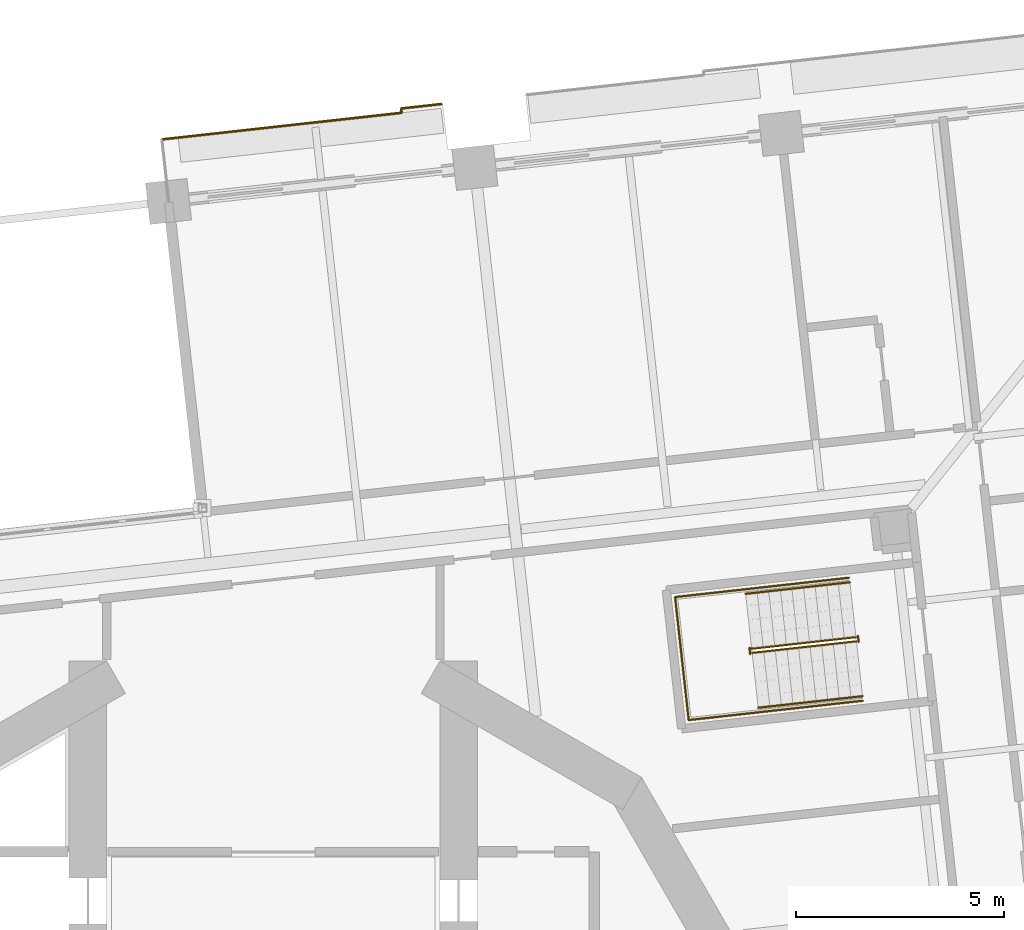
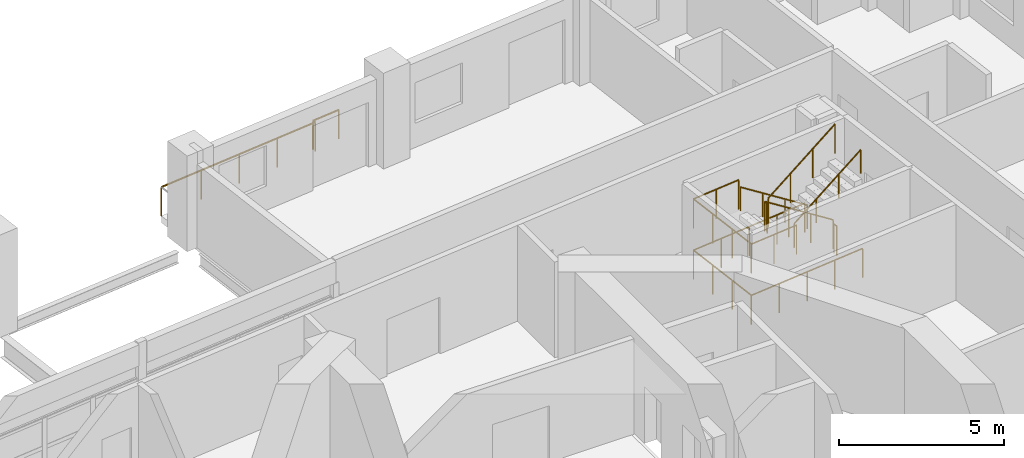
# One storey, part 19 of 21: 8 railings.
"""IFC4 building model written with IfcOpenShell, lengths in metres."""

from ifc_helpers import new_model, si_unit, direction, frame, origin, origin_2d, place, context, subcontext, project, spatial, circle, extrude, material, type_object, element, save


model = new_model("IFC4")

# Units and contexts
model_context = context("Model", 3, precision=1e-05, world=origin(), true_north=direction((0.0, 1.0)))
body_context = subcontext(model_context, "Body", "Model", "MODEL_VIEW")
ifc_project = project(units=[si_unit("LENGTHUNIT", "METRE"), si_unit("AREAUNIT", "SQUARE_METRE"), si_unit("VOLUMEUNIT", "CUBIC_METRE"), si_unit("PLANEANGLEUNIT", "RADIAN"), si_unit("MASSUNIT", "GRAM", prefix="KILO")], contexts=[model_context])

# Site, building, storey
site_placement = place(None, origin())
site = spatial("IfcSite", under=ifc_project, at=site_placement, CompositionType="ELEMENT")
building_placement = place(site_placement, origin())
building = spatial("IfcBuilding", under=site, at=building_placement, Name="Cantera Rosa Tower", CompositionType="ELEMENT")
storey_placement = place(building_placement, frame((0.0, 0.0, 57.699951171875)))
storey = spatial("IfcBuildingStorey", under=building, at=storey_placement, Name="L11", CompositionType="ELEMENT", Elevation=57.699951171875)

# Railings
ifc_material_1 = material(Name="Stainless steel and laminated glass", Category="steel")
railing_type_1 = type_object("IfcRailingType", Name="GUARD 1100", PredefinedType="BALUSTRADE", material=ifc_material_1)
railing_1_placement = place(storey_placement, frame((-2.6806640625, 24.151611328125, 0.0)))
element("IfcRailing", 1, at=railing_1_placement, inside=storey, type_object=railing_type_1, Name="GUARD L11-6", PredefinedType="BALUSTRADE", context=body_context, shape_type="SweptSolid", body=[
    extrude(circle(Radius=0.030029296875, at=origin_2d()), frame((0.0, 0.0, 1.070068359375), z_axis=(0.993893654236, 0.110342213455, 0.0), x_axis=(-0.110342213455, 0.993893654236, 0.0)), (0.0, 0.0, 1.0), 1.500244140625),
    extrude(circle(Radius=0.030029296875, at=origin_2d()), frame((1.490966796875, 0.16552734375, 1.070068359375), z_axis=(0.993897587788, 0.110306776711, 0.0), x_axis=(-0.110306776711, 0.993897587788, 0.0)), (0.0, 0.0, 1.0), 4.2958984375),
    extrude(circle(Radius=0.030029296875, at=origin_2d()), frame((5.7607421875, 0.639404296875, 1.070068359375), z_axis=(-0.110431526075, 0.993883734674, 0.0), x_axis=(-0.993883734674, -0.110431526075, 0.0)), (0.0, 0.0, 1.0), 0.10400390625),
    extrude(circle(Radius=0.030029296875, at=origin_2d()), frame((5.749267578125, 0.74267578125, 1.070068359375), z_axis=(0.993899009794, 0.110293963256, 0.0), x_axis=(-0.110293963256, 0.993899009794, 0.0)), (0.0, 0.0, 1.0), 0.973876953125),
    extrude(circle(Radius=0.02490234375, at=origin_2d()), origin(), (0.0, 0.0, 1.0), 1.0400390625),
    extrude(circle(Radius=0.02490234375, at=origin_2d()), frame((1.490966796875, 0.16552734375, 0.0)), (0.0, 0.0, 1.0), 1.0400390625),
    extrude(circle(Radius=0.02490234375, at=origin_2d()), frame((2.914306640625, 0.323486328125, 0.0)), (0.0, 0.0, 1.0), 1.0400390625),
    extrude(circle(Radius=0.02490234375, at=origin_2d()), frame((4.33740234375, 0.4814453125, 0.0)), (0.0, 0.0, 1.0), 1.0400390625),
    extrude(circle(Radius=0.02490234375, at=origin_2d()), frame((5.7607421875, 0.639404296875, 0.0)), (0.0, 0.0, 1.0), 1.0400390625),
    extrude(circle(Radius=0.02490234375, at=origin_2d()), frame((5.749267578125, 0.74267578125, 0.0)), (0.0, 0.0, 1.0), 1.0400390625),
    extrude(circle(Radius=0.02490234375, at=origin_2d()), frame((6.71728515625, 0.85009765625, 0.0)), (0.0, 0.0, 1.0), 1.0400390625),
])
ifc_material_2 = material(Name="Steel S355J2 (EN 10025-2)", Category="steel")
railing_type_2 = type_object("IfcRailingType", Name="STAIR GUARD 1100", PredefinedType="GUARDRAIL", material=ifc_material_2)
railing_2_placement = place(storey_placement, frame((13.986083984375, 12.203125, 0.18994140625)))
element("IfcRailing", 2, at=railing_2_placement, inside=storey, type_object=railing_type_2, Name="L11 ST-11 stair guard 1", PredefinedType="GUARDRAIL", context=body_context, shape_type="SweptSolid", body=[
    extrude(circle(Radius=0.02392578125, at=origin_2d()), frame((0.0, 0.0, 1.076171875), z_axis=(-0.822394317572, -0.091305890215, 0.561543249302), x_axis=(0.110346460196, -0.993893182753, 0.0)), (0.0, 0.0, 1.0), 3.045654296875),
    extrude(circle(Radius=0.02392578125, at=origin_2d()), frame((-2.504638671875, -0.278076171875, 2.7861328125), z_axis=(-0.931434406233, 0.363909256389, 0.0), x_axis=(-0.363909256389, -0.931434406233, 0.0)), (0.0, 0.0, 1.0), 0.056396484375),
    extrude(circle(Radius=0.02392578125, at=origin_2d()), frame((-2.55712890625, -0.257568359375, 2.7861328125), z_axis=(0.1090029065, -0.994041430915, 0.0), x_axis=(0.994041430915, 0.1090029065, 0.0)), (0.0, 0.0, 1.0), 0.150146484375),
    extrude(circle(Radius=0.02099609375, at=origin_2d()), origin(), (0.0, 0.0, 1.0), 1.052001953125),
    extrude(circle(Radius=0.02099609375, at=origin_2d()), frame((-0.8349609375, -0.0927734375, 0.570068359375)), (0.0, 0.0, 1.0), 1.052001953125),
    extrude(circle(Radius=0.02099609375, at=origin_2d()), frame((-1.669677734375, -0.185302734375, 1.14013671875)), (0.0, 0.0, 1.0), 1.052001953125),
    extrude(circle(Radius=0.02099609375, at=origin_2d()), frame((-2.504638671875, -0.278076171875, 1.710205078125)), (0.0, 0.0, 1.0), 1.052001953125),
    extrude(circle(Radius=0.02099609375, at=origin_2d()), frame((-2.55712890625, -0.257568359375, 1.710205078125)), (0.0, 0.0, 1.0), 1.052001953125),
    extrude(circle(Radius=0.02099609375, at=origin_2d()), frame((-2.540771484375, -0.40673828125, 1.710205078125)), (0.0, 0.0, 1.0), 1.052001953125),
])
railing_3_placement = place(storey_placement, frame((11.4921875, 11.82763671875, 2.090087890625)))
element("IfcRailing", 3, at=railing_3_placement, inside=storey, type_object=railing_type_2, Name="L11 ST-11 stair guard 2", PredefinedType="GUARDRAIL", context=body_context, shape_type="SweptSolid", body=[
    extrude(circle(Radius=0.02392578125, at=origin_2d()), frame((0.0, 0.0, 1.076171875), z_axis=(0.822431337597, 0.091310000343, 0.561488360321), x_axis=(-0.110346460196, 0.993893182753, 0.0)), (0.0, 0.0, 1.0), 3.04541015625),
    extrude(circle(Radius=0.02099609375, at=origin_2d()), origin(), (0.0, 0.0, 1.0), 1.052001953125),
    extrude(circle(Radius=0.02099609375, at=origin_2d()), frame((0.8349609375, 0.0927734375, 0.570068359375)), (0.0, 0.0, 1.0), 1.052001953125),
    extrude(circle(Radius=0.02099609375, at=origin_2d()), frame((1.669677734375, 0.185302734375, 1.139892578125)), (0.0, 0.0, 1.0), 1.052001953125),
    extrude(circle(Radius=0.02099609375, at=origin_2d()), frame((2.504638671875, 0.278076171875, 1.7099609375)), (0.0, 0.0, 1.0), 1.052001953125),
])
railing_4_placement = place(storey_placement, frame((14.032958984375, 12.234375, 0.0)))
element("IfcRailing", 4, at=railing_4_placement, inside=storey, type_object=railing_type_2, Name="L11 ST-11 stair guard 3", PredefinedType="GUARDRAIL", context=body_context, shape_type="SweptSolid", body=[
    extrude(circle(Radius=0.02392578125, at=origin_2d()), frame((0.0, 0.0, 1.076171875), z_axis=(0.109179471459, -0.994022053584, 0.0), x_axis=(0.994022053584, 0.109179471459, 0.0)), (0.0, 0.0, 1.0), 0.14990234375),
    extrude(circle(Radius=0.02099609375, at=origin_2d()), origin(), (0.0, 0.0, 1.0), 1.052001953125),
    extrude(circle(Radius=0.02099609375, at=origin_2d()), frame((0.016357421875, -0.14892578125, 0.0)), (0.0, 0.0, 1.0), 1.052001953125),
])
railing_5_placement = place(storey_placement, frame((13.815673828125, 13.629150390625, 0.0)))
element("IfcRailing", 5, at=railing_5_placement, inside=storey, type_object=railing_type_2, Name="L11 ST-11 stair guard 4", PredefinedType="GUARDRAIL", context=body_context, shape_type="SweptSolid", body=[
    extrude(circle(Radius=0.02392578125, at=origin_2d()), frame((0.0, 0.0, 1.076171875), z_axis=(-0.9938957856, -0.110323013767, 0.0), x_axis=(0.110323013767, -0.9938957856, 0.0)), (0.0, 0.0, 1.0), 4.197998046875),
    extrude(circle(Radius=0.02392578125, at=origin_2d()), frame((-4.17236328125, -0.463134765625, 1.076171875), z_axis=(0.110314237986, -0.993896759678, 0.0), x_axis=(0.993896759678, 0.110314237986, 0.0)), (0.0, 0.0, 1.0), 2.969970703125),
    extrude(circle(Radius=0.02392578125, at=origin_2d()), frame((-3.8447265625, -3.4150390625, 1.076171875), z_axis=(0.9938957856, 0.110323013767, 0.0), x_axis=(-0.110323013767, 0.9938957856, 0.0)), (0.0, 0.0, 1.0), 4.197998046875),
    extrude(circle(Radius=0.02099609375, at=origin_2d()), origin(), (0.0, 0.0, 1.0), 1.052001953125),
    extrude(circle(Radius=0.02099609375, at=origin_2d()), frame((-1.04296875, -0.11572265625, 0.0)), (0.0, 0.0, 1.0), 1.052001953125),
    extrude(circle(Radius=0.02099609375, at=origin_2d()), frame((-2.086181640625, -0.2314453125, 0.0)), (0.0, 0.0, 1.0), 1.052001953125),
    extrude(circle(Radius=0.02099609375, at=origin_2d()), frame((-3.12939453125, -0.347412109375, 0.0)), (0.0, 0.0, 1.0), 1.052001953125),
    extrude(circle(Radius=0.02099609375, at=origin_2d()), frame((-4.17236328125, -0.463134765625, 0.0)), (0.0, 0.0, 1.0), 1.052001953125),
    extrude(circle(Radius=0.02099609375, at=origin_2d()), frame((-4.063232421875, -1.447021484375, 0.0)), (0.0, 0.0, 1.0), 1.052001953125),
    extrude(circle(Radius=0.02099609375, at=origin_2d()), frame((-3.953857421875, -2.43115234375, 0.0)), (0.0, 0.0, 1.0), 1.052001953125),
    extrude(circle(Radius=0.02099609375, at=origin_2d()), frame((-3.8447265625, -3.4150390625, 0.0)), (0.0, 0.0, 1.0), 1.052001953125),
    extrude(circle(Radius=0.02099609375, at=origin_2d()), frame((-2.8017578125, -3.29931640625, 0.0)), (0.0, 0.0, 1.0), 1.052001953125),
    extrude(circle(Radius=0.02099609375, at=origin_2d()), frame((-1.758544921875, -3.18359375, 0.0)), (0.0, 0.0, 1.0), 1.052001953125),
    extrude(circle(Radius=0.02099609375, at=origin_2d()), frame((-0.71533203125, -3.067626953125, 0.0)), (0.0, 0.0, 1.0), 1.052001953125),
    extrude(circle(Radius=0.02099609375, at=origin_2d()), frame((0.32763671875, -2.951904296875, 0.0)), (0.0, 0.0, 1.0), 1.052001953125),
])
railing_6_placement = place(storey_placement, frame((11.3349609375, 13.353759765625, 1.900146484375)))
element("IfcRailing", 6, at=railing_6_placement, inside=storey, type_object=railing_type_2, Name="L11 ST-11 stair guard 5", PredefinedType="GUARDRAIL", context=body_context, shape_type="SweptSolid", body=[
    extrude(circle(Radius=0.02392578125, at=origin_2d()), frame((0.0, 0.0, 1.076171875), z_axis=(-0.993897720867, -0.110305577623, 0.0), x_axis=(0.110305577623, -0.993897720867, 0.0)), (0.0, 0.0, 1.0), 1.7021484375),
    extrude(circle(Radius=0.02392578125, at=origin_2d()), frame((-1.691650390625, -0.187744140625, 1.076171875), z_axis=(0.110314237986, -0.993896759678, 0.0), x_axis=(0.993896759678, 0.110314237986, 0.0)), (0.0, 0.0, 1.0), 2.969970703125),
    extrude(circle(Radius=0.02392578125, at=origin_2d()), frame((-1.364013671875, -3.1396484375, 1.076171875), z_axis=(0.993897720867, 0.110305577623, 0.0), x_axis=(-0.110305577623, 0.993897720867, 0.0)), (0.0, 0.0, 1.0), 1.7021484375),
    extrude(circle(Radius=0.02099609375, at=origin_2d()), origin(), (0.0, 0.0, 1.0), 1.052001953125),
    extrude(circle(Radius=0.02099609375, at=origin_2d()), frame((-0.845703125, -0.09375, 0.0)), (0.0, 0.0, 1.0), 1.052001953125),
    extrude(circle(Radius=0.02099609375, at=origin_2d()), frame((-1.691650390625, -0.187744140625, 0.0)), (0.0, 0.0, 1.0), 1.052001953125),
    extrude(circle(Radius=0.02099609375, at=origin_2d()), frame((-1.58251953125, -1.171630859375, 0.0)), (0.0, 0.0, 1.0), 1.052001953125),
    extrude(circle(Radius=0.02099609375, at=origin_2d()), frame((-1.47314453125, -2.15576171875, 0.0)), (0.0, 0.0, 1.0), 1.052001953125),
    extrude(circle(Radius=0.02099609375, at=origin_2d()), frame((-1.364013671875, -3.1396484375, 0.0)), (0.0, 0.0, 1.0), 1.052001953125),
    extrude(circle(Radius=0.02099609375, at=origin_2d()), frame((-0.51806640625, -3.0458984375, 0.0)), (0.0, 0.0, 1.0), 1.052001953125),
    extrude(circle(Radius=0.02099609375, at=origin_2d()), frame((0.32763671875, -2.951904296875, 0.0)), (0.0, 0.0, 1.0), 1.052001953125),
])
ifc_material_3 = material(Name="Steel S355J2 (EN 10025-2)", Category="steel")
railing_type_3 = type_object("IfcRailingType", Name="STAIR HANDRAIL 900", PredefinedType="HANDRAIL", material=ifc_material_3)
railing_7_placement = place(storey_placement, frame((13.83984375, 13.52099609375, 0.18994140625)))
element("IfcRailing", 7, at=railing_7_placement, inside=storey, type_object=railing_type_3, Name="L11 ST-11 stair handrail 1", PredefinedType="HANDRAIL", context=body_context, shape_type="SweptSolid", body=[
    extrude(circle(Radius=0.02392578125, at=origin_2d()), frame((0.0, 0.0, 0.8759765625), z_axis=(-0.822400334406, -0.091226394439, 0.561547357688), x_axis=(0.110250758185, -0.993903803353, 0.0)), (0.0, 0.0, 1.0), 3.04541015625),
    extrude(circle(Radius=0.02099609375, at=origin_2d()), origin(), (0.0, 0.0, 1.0), 0.851806640625),
    extrude(circle(Radius=0.02099609375, at=origin_2d()), frame((-0.8349609375, -0.092529296875, 0.570068359375)), (0.0, 0.0, 1.0), 0.851806640625),
    extrude(circle(Radius=0.02099609375, at=origin_2d()), frame((-1.669677734375, -0.185302734375, 1.14013671875)), (0.0, 0.0, 1.0), 0.851806640625),
    extrude(circle(Radius=0.02099609375, at=origin_2d()), frame((-2.504638671875, -0.27783203125, 1.710205078125)), (0.0, 0.0, 1.0), 0.851806640625),
])
railing_8_placement = place(storey_placement, frame((11.638427734375, 10.509765625, 2.090087890625)))
element("IfcRailing", 8, at=railing_8_placement, inside=storey, type_object=railing_type_3, Name="L11 ST-11 stair handrail 2", PredefinedType="HANDRAIL", context=body_context, shape_type="SweptSolid", body=[
    extrude(circle(Radius=0.02392578125, at=origin_2d()), frame((0.0, 0.0, 0.8759765625), z_axis=(0.822431337597, 0.091310000343, 0.561488360321), x_axis=(-0.110346460196, 0.993893182753, 0.0)), (0.0, 0.0, 1.0), 3.04541015625),
    extrude(circle(Radius=0.02099609375, at=origin_2d()), origin(), (0.0, 0.0, 1.0), 0.851806640625),
    extrude(circle(Radius=0.02099609375, at=origin_2d()), frame((0.8349609375, 0.0927734375, 0.570068359375)), (0.0, 0.0, 1.0), 0.851806640625),
    extrude(circle(Radius=0.02099609375, at=origin_2d()), frame((1.669677734375, 0.185302734375, 1.139892578125)), (0.0, 0.0, 1.0), 0.851806640625),
    extrude(circle(Radius=0.02099609375, at=origin_2d()), frame((2.504638671875, 0.278076171875, 1.7099609375)), (0.0, 0.0, 1.0), 0.851806640625),
])

save(model, "model.ifc")
